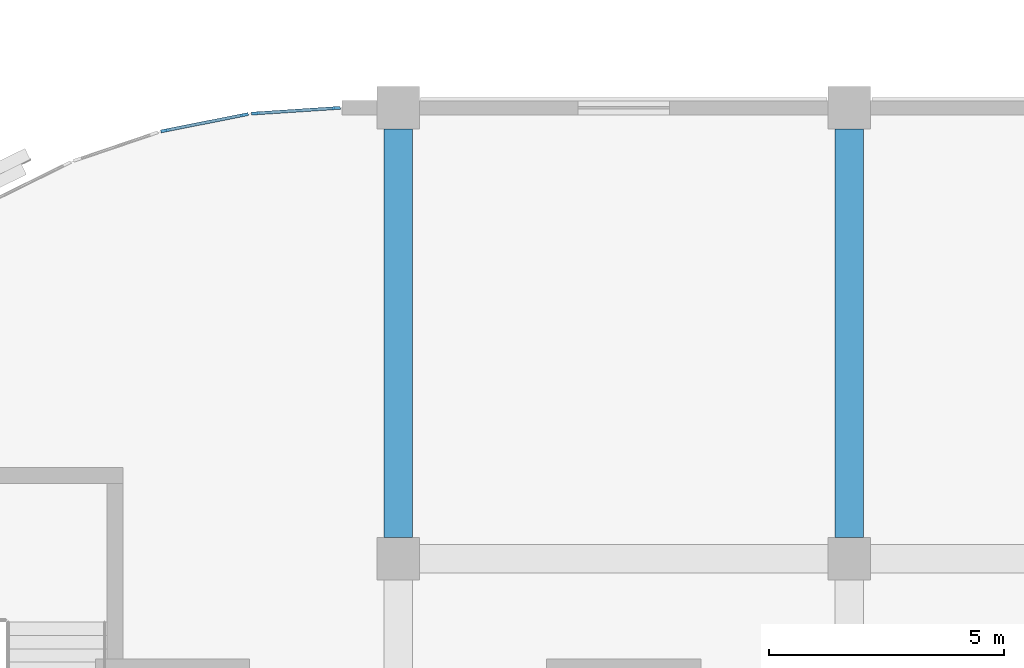
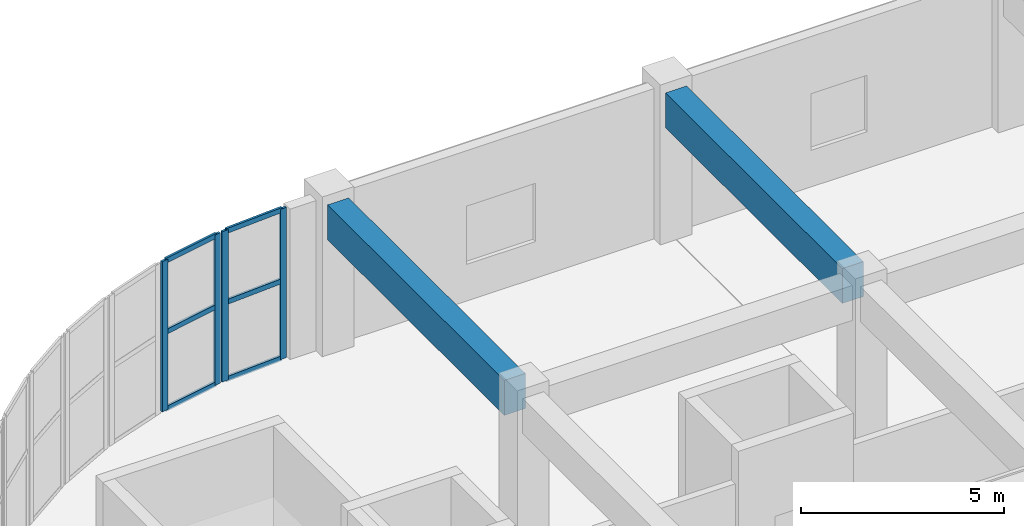
# One storey, part 25 of 96: 10 members, 2 beams, 2 elements without a shape of their own.
"""IFC4 building model written with IfcOpenShell, lengths in metres."""

from ifc_helpers import new_model, si_unit, direction, frame, origin, origin_2d, place, context, subcontext, project, spatial, rectangle, extrude, material, layer, layer_set, material_profile, profile_set, type_object, element, aggregate, save


model = new_model("IFC4")

# Units and contexts
model_context = context("Model", 3, precision=1e-05, world=origin(), true_north=direction((0.0, 1.0)))
body_context = subcontext(model_context, "Body", "Model", "MODEL_VIEW")
ifc_project = project(units=[si_unit("LENGTHUNIT", "METRE"), si_unit("AREAUNIT", "SQUARE_METRE"), si_unit("VOLUMEUNIT", "CUBIC_METRE"), si_unit("PLANEANGLEUNIT", "RADIAN"), si_unit("MASSUNIT", "GRAM", prefix="KILO")], contexts=[model_context])

# Site, building, storey
site_placement = place(None, origin())
site = spatial("IfcSite", under=ifc_project, at=site_placement, CompositionType="ELEMENT")
building_placement = place(site_placement, origin())
building = spatial("IfcBuilding", under=site, at=building_placement, Name="Cendralis Terraced Arcade", CompositionType="ELEMENT")
storey_placement = place(building_placement, frame((0.0, 0.0, 10.199951171875)))
storey = spatial("IfcBuildingStorey", under=building, at=storey_placement, Name="L02", CompositionType="ELEMENT", Elevation=10.199951171875)

# Beams
ifc_material_1 = material(Name="Concrete f'c 35 MPa", Category="concrete")
ifc_material_profile_1 = material_profile(ifc_material_1, rectangle(XDim=0.60009765625, YDim=1.050048828125, at=origin_2d()), Name="RC-BM-600x1050", Category="LoadBearing")
ifc_profile_set_1 = profile_set([ifc_material_profile_1], Name="Concrete f'c 35 MPa")
beam_type = type_object("IfcBeamType", Name="BM-600x1050", PredefinedType="JOIST", material=ifc_profile_set_1)
for number, where, z_axis, x_axis, name in (
    (1, (19.199951171875, 79.64990234375, 3.989990234375), (0.0, 1.0, 0.0), (-1.0, 0.0, 0.0), "Reinforced Concrete Frame Beam BM-Y-L03-3-J_K"),
    (2, (28.800048828125, 79.64990234375, 3.989990234375), (0.0, 1.0, 0.0), (-1.0, 0.0, 0.0), "Reinforced Concrete Frame Beam BM-Y-L03-4-J_K"),
):
    element("IfcBeam", number, at=place(storey_placement, frame(where, z_axis=z_axis, x_axis=x_axis)), inside=storey, type_object=beam_type, Name=name, PredefinedType="JOIST", context=body_context, shape_type="SweptSolid", body=[
        extrude(rectangle(XDim=0.60009765625, YDim=1.050048828125, at=origin_2d()), origin(), (0.0, 0.0, 1.0), 8.7001953125),
    ])

# Curtain wall, members
ifc_material_2 = material(Name="Anodised aluminium EN AW-6063 T6", Category="aluminium")
ifc_layer = layer(ifc_material_2, 0.179931640625, Name="CW-UNIT-A")
ifc_layer_set = layer_set([ifc_layer], Name="Anodised aluminium EN AW-6063 T6")
curtain_wall_type = type_object("IfcCurtainWallType", Name="CW-UNIT-A", PredefinedType="USERDEFINED", material=ifc_layer_set)
curtain_wall_1_placement = place(storey_placement, origin())
curtain_wall_1 = element("IfcCurtainWall", 3, at=curtain_wall_1_placement, inside=storey, type_object=curtain_wall_type, Name="Exterior Unitised Facade CW-L02-0141", ObjectType="UNITISED FACADE", PredefinedType="USERDEFINED")
ifc_material_profile_2 = material_profile(ifc_material_2, rectangle(XDim=0.06494140625, YDim=0.179931640625, at=origin_2d()), Name="ALU-MUL-65x180")
ifc_profile_set_2 = profile_set([ifc_material_profile_2], Name="Anodised aluminium EN AW-6063 T6")
member_type_1 = type_object("IfcMemberType", Name="CW-UNIT-A-MUL", PredefinedType="MULLION", material=ifc_profile_set_2)
member_1_placement = place(storey_placement, frame((14.23779296875, 88.312744140625, 0.0), z_axis=(0.0, 0.0, 1.0), x_axis=(-0.195058454434, 0.980791618721, 0.0)))
member_1 = element("IfcMember", 4, at=member_1_placement, type_object=member_type_1, Name="CW-U1 mullion 1", PredefinedType="MULLION", context=body_context, shape_type="SweptSolid", body=[
    extrude(rectangle(XDim=0.06494140625, YDim=0.179931640625, at=origin_2d()), origin(), (0.0, 0.0, 1.0), 4.51513671875),
])
member_2_placement = place(storey_placement, frame((15.921875, 88.647705078125, 0.0), z_axis=(0.0, 0.0, 1.0), x_axis=(-0.195058454434, 0.980791618721, 0.0)))
member_2 = element("IfcMember", 5, at=member_2_placement, type_object=member_type_1, Name="CW-U1 mullion 2", PredefinedType="MULLION", context=body_context, shape_type="SweptSolid", body=[
    extrude(rectangle(XDim=0.06494140625, YDim=0.179931640625, at=origin_2d()), origin(), (0.0, 0.0, 1.0), 4.51513671875),
])

curtain_wall_2_placement = place(storey_placement, origin())
curtain_wall_2 = element("IfcCurtainWall", 6, at=curtain_wall_2_placement, inside=storey, type_object=curtain_wall_type, Name="Exterior Unitised Facade CW-L02-0142", ObjectType="UNITISED FACADE", PredefinedType="USERDEFINED")
member_3_placement = place(storey_placement, frame((16.164306640625, 88.6796875, 0.0), z_axis=(0.0, 0.0, 1.0), x_axis=(-0.065371873798, 0.997860971336, 0.0)))
member_3 = element("IfcMember", 7, at=member_3_placement, type_object=member_type_1, Name="CW-U1 mullion 1", PredefinedType="MULLION", context=body_context, shape_type="SweptSolid", body=[
    extrude(rectangle(XDim=0.06494140625, YDim=0.179931640625, at=origin_2d()), origin(), (0.0, 0.0, 1.0), 4.51513671875),
])
member_4_placement = place(storey_placement, frame((17.877685546875, 88.7919921875, 0.0), z_axis=(0.0, 0.0, 1.0), x_axis=(-0.065371873798, 0.997860971336, 0.0)))
member_4 = element("IfcMember", 8, at=member_4_placement, type_object=member_type_1, Name="CW-U1 mullion 2", PredefinedType="MULLION", context=body_context, shape_type="SweptSolid", body=[
    extrude(rectangle(XDim=0.06494140625, YDim=0.179931640625, at=origin_2d()), origin(), (0.0, 0.0, 1.0), 4.51513671875),
])

# Member
ifc_material_profile_3 = material_profile(ifc_material_2, rectangle(XDim=0.06494140625, YDim=0.14990234375, at=origin_2d()), Name="ALU-TRN-65x150")
ifc_profile_set_3 = profile_set([ifc_material_profile_3], Name="Anodised aluminium EN AW-6063 T6")
member_type_2 = type_object("IfcMemberType", Name="CW-UNIT-A-TRN", PredefinedType="USERDEFINED", material=ifc_profile_set_3)
member_5_placement = place(storey_placement, frame((14.269775390625, 88.319091796875, 0.032470703125), z_axis=(0.980790408784, 0.195064538134, 0.0), x_axis=(-0.195064538134, 0.980790408784, 0.0)))
member_5 = element("IfcMember", 9, at=member_5_placement, type_object=member_type_2, Name="CW-U1 transom 1.1", ObjectType="TRANSOM", PredefinedType="USERDEFINED", context=body_context, shape_type="SweptSolid", body=[
    extrude(rectangle(XDim=0.06494140625, YDim=0.14990234375, at=origin_2d()), origin(), (0.0, 0.0, 1.0), 1.652099609375),
])

member_6_placement = place(storey_placement, frame((14.269775390625, 88.319091796875, 2.347900390625), z_axis=(0.980790408784, 0.195064538134, 0.0), x_axis=(-0.195064538134, 0.980790408784, 0.0)))
member_6 = element("IfcMember", 10, at=member_6_placement, type_object=member_type_2, Name="CW-U1 transom 1.2", ObjectType="TRANSOM", PredefinedType="USERDEFINED", context=body_context, shape_type="SweptSolid", body=[
    extrude(rectangle(XDim=0.06494140625, YDim=0.14990234375, at=origin_2d()), origin(), (0.0, 0.0, 1.0), 1.652099609375),
])

member_7_placement = place(storey_placement, frame((14.269775390625, 88.319091796875, 4.482666015625), z_axis=(0.980790408784, 0.195064538134, 0.0), x_axis=(-0.195064538134, 0.980790408784, 0.0)))
member_7 = element("IfcMember", 11, at=member_7_placement, type_object=member_type_2, Name="CW-U1 transom 1.3", ObjectType="TRANSOM", PredefinedType="USERDEFINED", context=body_context, shape_type="SweptSolid", body=[
    extrude(rectangle(XDim=0.06494140625, YDim=0.14990234375, at=origin_2d()), origin(), (0.0, 0.0, 1.0), 1.652099609375),
])

aggregate(curtain_wall_1, [member_1, member_2, member_5, member_6, member_7])

member_8_placement = place(storey_placement, frame((16.19677734375, 88.681884765625, 0.032470703125), z_axis=(0.997864850039, 0.065312640858, 0.0), x_axis=(-0.065312640858, 0.997864850039, 0.0)))
member_8 = element("IfcMember", 12, at=member_8_placement, type_object=member_type_2, Name="CW-U1 transom 1.1", ObjectType="TRANSOM", PredefinedType="USERDEFINED", context=body_context, shape_type="SweptSolid", body=[
    extrude(rectangle(XDim=0.06494140625, YDim=0.14990234375, at=origin_2d()), origin(), (0.0, 0.0, 1.0), 1.652099609375),
])

member_9_placement = place(storey_placement, frame((16.19677734375, 88.681884765625, 2.347900390625), z_axis=(0.997864850039, 0.065312640858, 0.0), x_axis=(-0.065312640858, 0.997864850039, 0.0)))
member_9 = element("IfcMember", 13, at=member_9_placement, type_object=member_type_2, Name="CW-U1 transom 1.2", ObjectType="TRANSOM", PredefinedType="USERDEFINED", context=body_context, shape_type="SweptSolid", body=[
    extrude(rectangle(XDim=0.06494140625, YDim=0.14990234375, at=origin_2d()), origin(), (0.0, 0.0, 1.0), 1.652099609375),
])

member_10_placement = place(storey_placement, frame((16.19677734375, 88.681884765625, 4.482666015625), z_axis=(0.997864850039, 0.065312640858, 0.0), x_axis=(-0.065312640858, 0.997864850039, 0.0)))
member_10 = element("IfcMember", 14, at=member_10_placement, type_object=member_type_2, Name="CW-U1 transom 1.3", ObjectType="TRANSOM", PredefinedType="USERDEFINED", context=body_context, shape_type="SweptSolid", body=[
    extrude(rectangle(XDim=0.06494140625, YDim=0.14990234375, at=origin_2d()), origin(), (0.0, 0.0, 1.0), 1.652099609375),
])

aggregate(curtain_wall_2, [member_3, member_4, member_8, member_9, member_10])

save(model, "model.ifc")
